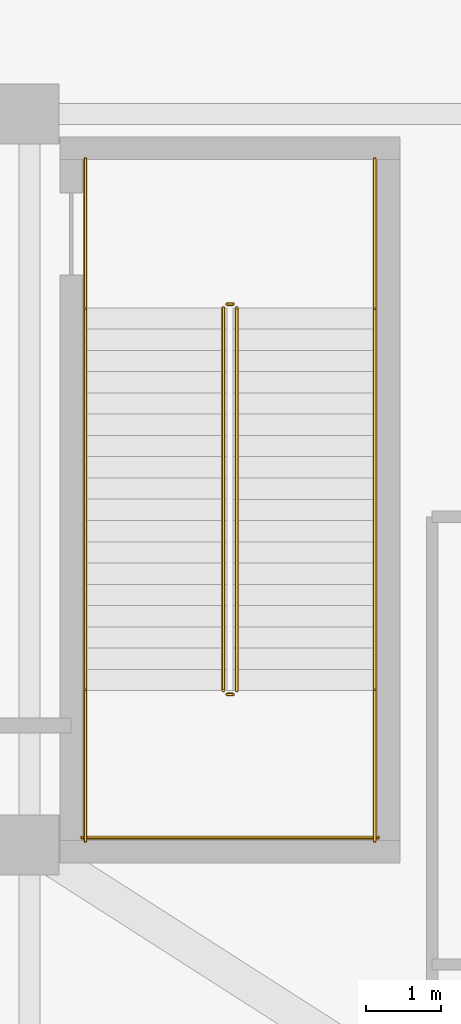
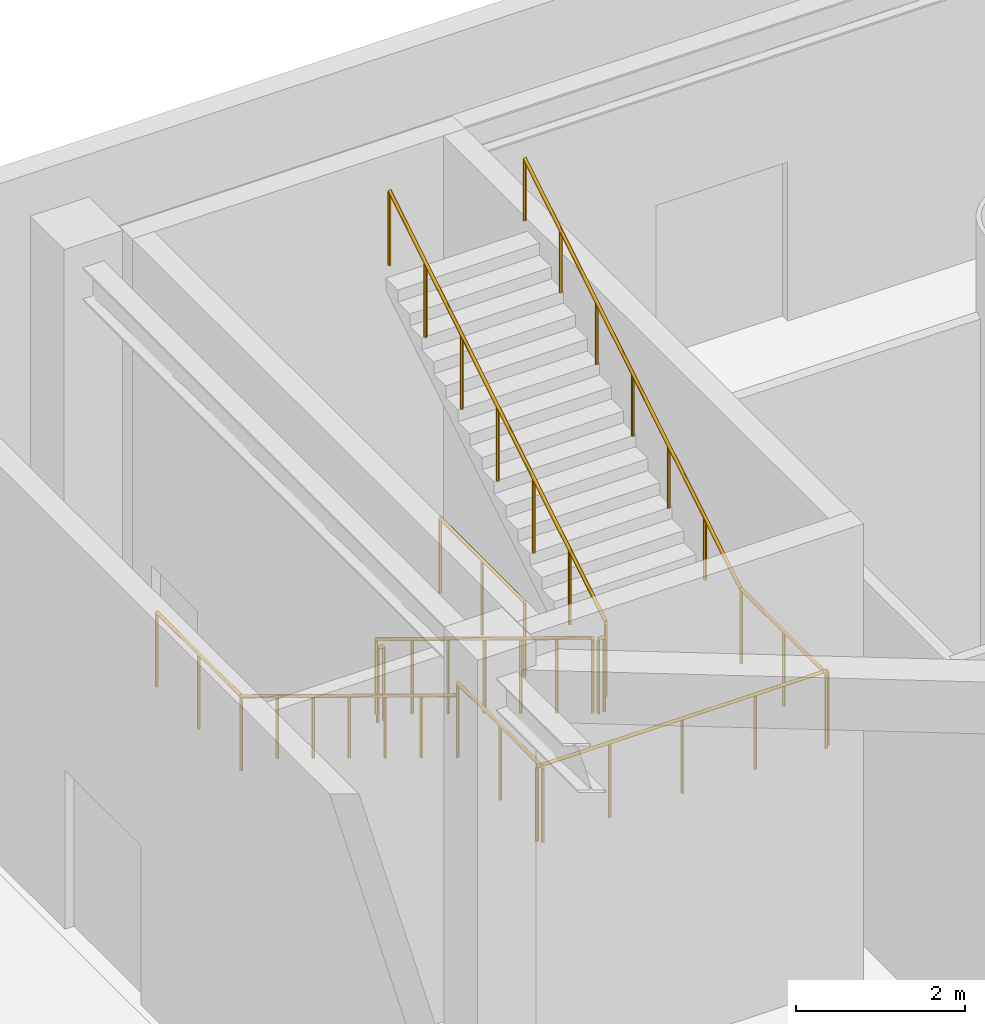
# One storey, part 12 of 15: 11 railings.
"""IFC4 building model written with IfcOpenShell, lengths in metres."""

from ifc_helpers import new_model, si_unit, direction, frame, origin, origin_2d, place, context, subcontext, project, spatial, circle, extrude, material, type_object, element, save


model = new_model("IFC4")

# Units and contexts
model_context = context("Model", 3, precision=1e-05, world=origin(), true_north=direction((0.0, 1.0)))
body_context = subcontext(model_context, "Body", "Model", "MODEL_VIEW")
ifc_project = project(units=[si_unit("LENGTHUNIT", "METRE"), si_unit("AREAUNIT", "SQUARE_METRE"), si_unit("VOLUMEUNIT", "CUBIC_METRE"), si_unit("PLANEANGLEUNIT", "RADIAN"), si_unit("MASSUNIT", "GRAM", prefix="KILO")], contexts=[model_context])

# Site, building, storey
site_placement = place(None, origin())
site = spatial("IfcSite", under=ifc_project, at=site_placement, CompositionType="ELEMENT")
building_placement = place(site_placement, origin())
building = spatial("IfcBuilding", under=site, at=building_placement, Name="Bramvorn Convention Spire", CompositionType="ELEMENT")
storey_placement = place(building_placement, origin())
storey = spatial("IfcBuildingStorey", under=building, at=storey_placement, Name="L00", CompositionType="ELEMENT", Elevation=0.0)

# Railings
ifc_material_1 = material(Name="Painted Steel Balustrade & Guardrail", Category="steel")
railing_type_1 = type_object("IfcRailingType", Name="RL-STAIR-GUARD-1100", PredefinedType="GUARDRAIL", material=ifc_material_1)
railing_1_placement = place(storey_placement, frame((5.39990234375, 46.800048828125, 0.173583984375)))
element("IfcRailing", 1, at=railing_1_placement, inside=storey, type_object=railing_type_1, Name="L00 ST6 stair guard 1", PredefinedType="GUARDRAIL", context=body_context, shape_type="SweptSolid", body=[
    extrude(circle(Radius=0.02392578125, at=origin_2d()), frame((0.0, 0.0, 1.076171875), z_axis=(0.0, -0.853919069452, 0.520405825127), x_axis=(1.0, 0.0, 0.0)), (0.0, 0.0, 1.0), 6.0078125),
    extrude(circle(Radius=0.02099609375, at=origin_2d()), origin(), (0.0, 0.0, 1.0), 1.052001953125),
    extrude(circle(Radius=0.02099609375, at=origin_2d()), frame((0.0, -0.85498046875, 0.52099609375)), (0.0, 0.0, 1.0), 1.052001953125),
    extrude(circle(Radius=0.02099609375, at=origin_2d()), frame((0.0, -1.7099609375, 1.042236328125)), (0.0, 0.0, 1.0), 1.052001953125),
    extrude(circle(Radius=0.02099609375, at=origin_2d()), frame((0.0, -2.56494140625, 1.563232421875)), (0.0, 0.0, 1.0), 1.052001953125),
    extrude(circle(Radius=0.02099609375, at=origin_2d()), frame((0.0, -3.420166015625, 2.084228515625)), (0.0, 0.0, 1.0), 1.052001953125),
    extrude(circle(Radius=0.02099609375, at=origin_2d()), frame((0.0, -4.275146484375, 2.60546875)), (0.0, 0.0, 1.0), 1.052001953125),
    extrude(circle(Radius=0.02099609375, at=origin_2d()), frame((0.0, -5.130126953125, 3.12646484375)), (0.0, 0.0, 1.0), 1.052001953125),
])
railing_2_placement = place(storey_placement, frame((5.449951171875, 41.6201171875, 3.300048828125)))
element("IfcRailing", 2, at=railing_2_placement, inside=storey, type_object=railing_type_1, Name="L00 ST6 stair guard 2", PredefinedType="GUARDRAIL", context=body_context, shape_type="SweptSolid", body=[
    extrude(circle(Radius=0.02392578125, at=origin_2d()), frame((0.0, 0.0, 1.076171875), z_axis=(1.0, 0.0, 0.0), x_axis=(0.0, 1.0, 0.0)), (0.0, 0.0, 1.0), 0.080078125),
    extrude(circle(Radius=0.02099609375, at=origin_2d()), origin(), (0.0, 0.0, 1.0), 1.052001953125),
    extrude(circle(Radius=0.02099609375, at=origin_2d()), frame((0.080078125, 0.0, 0.0)), (0.0, 0.0, 1.0), 1.052001953125),
])
for number, where, name in (
    (3, (3.550048828125, 41.669921875, 3.300048828125), "L00 ST6 stair guard 3"),
    (4, (7.429931640625, 41.669921875, 3.300048828125), "L00 ST6 stair guard 4"),
):
    element("IfcRailing", number, at=place(storey_placement, frame(where)), inside=storey, type_object=railing_type_1, Name=name, PredefinedType="GUARDRAIL", context=body_context, shape_type="SweptSolid", body=[
        extrude(circle(Radius=0.02392578125, at=origin_2d()), frame((0.0, 0.0, 1.076171875), z_axis=(0.0, -1.0, 0.0), x_axis=(1.0, 0.0, 0.0)), (0.0, 0.0, 1.0), 2.02001953125),
        extrude(circle(Radius=0.02099609375, at=origin_2d()), origin(), (0.0, 0.0, 1.0), 1.052001953125),
        extrude(circle(Radius=0.02099609375, at=origin_2d()), frame((0.0, -1.010009765625, 0.0)), (0.0, 0.0, 1.0), 1.052001953125),
        extrude(circle(Radius=0.02099609375, at=origin_2d()), frame((0.0, -2.02001953125, 0.0)), (0.0, 0.0, 1.0), 1.052001953125),
    ])
railing_3_placement = place(storey_placement, frame((3.5, 39.699951171875, 3.300048828125)))
element("IfcRailing", 5, at=railing_3_placement, inside=storey, type_object=railing_type_1, Name="L00 ST6 stair guard 5", PredefinedType="GUARDRAIL", context=body_context, shape_type="SweptSolid", body=[
    extrude(circle(Radius=0.02392578125, at=origin_2d()), frame((0.0, 0.0, 1.076171875), z_axis=(1.0, 0.0, 0.0), x_axis=(0.0, 1.0, 0.0)), (0.0, 0.0, 1.0), 3.97998046875),
    extrude(circle(Radius=0.02099609375, at=origin_2d()), origin(), (0.0, 0.0, 1.0), 1.052001953125),
    extrude(circle(Radius=0.02099609375, at=origin_2d()), frame((0.9951171875, 0.0, 0.0)), (0.0, 0.0, 1.0), 1.052001953125),
    extrude(circle(Radius=0.02099609375, at=origin_2d()), frame((1.989990234375, 0.0, 0.0)), (0.0, 0.0, 1.0), 1.052001953125),
    extrude(circle(Radius=0.02099609375, at=origin_2d()), frame((2.98486328125, 0.0, 0.0)), (0.0, 0.0, 1.0), 1.052001953125),
    extrude(circle(Radius=0.02099609375, at=origin_2d()), frame((3.97998046875, 0.0, 0.0)), (0.0, 0.0, 1.0), 1.052001953125),
])
railing_4_placement = place(storey_placement, frame((5.580078125, 41.669921875, 3.4736328125)))
element("IfcRailing", 6, at=railing_4_placement, inside=storey, type_object=railing_type_1, Name="L00 ST6 stair guard 6", PredefinedType="GUARDRAIL", context=body_context, shape_type="SweptSolid", body=[
    extrude(circle(Radius=0.02392578125, at=origin_2d()), frame((0.0, 0.0, 1.076171875), z_axis=(0.0, 0.853919069452, 0.520405825127), x_axis=(-1.0, 0.0, 0.0)), (0.0, 0.0, 1.0), 6.0078125),
    extrude(circle(Radius=0.02099609375, at=origin_2d()), origin(), (0.0, 0.0, 1.0), 1.052001953125),
    extrude(circle(Radius=0.02099609375, at=origin_2d()), frame((0.0, 0.85498046875, 0.52099609375)), (0.0, 0.0, 1.0), 1.052001953125),
    extrude(circle(Radius=0.02099609375, at=origin_2d()), frame((0.0, 1.7099609375, 1.042236328125)), (0.0, 0.0, 1.0), 1.052001953125),
    extrude(circle(Radius=0.02099609375, at=origin_2d()), frame((0.0, 2.56494140625, 1.563232421875)), (0.0, 0.0, 1.0), 1.052001953125),
    extrude(circle(Radius=0.02099609375, at=origin_2d()), frame((0.0, 3.420166015625, 2.084228515625)), (0.0, 0.0, 1.0), 1.052001953125),
    extrude(circle(Radius=0.02099609375, at=origin_2d()), frame((0.0, 4.275146484375, 2.60546875)), (0.0, 0.0, 1.0), 1.052001953125),
    extrude(circle(Radius=0.02099609375, at=origin_2d()), frame((0.0, 5.130126953125, 3.12646484375)), (0.0, 0.0, 1.0), 1.052001953125),
])
railing_5_placement = place(storey_placement, frame((5.449951171875, 46.85009765625, 0.0)))
element("IfcRailing", 7, at=railing_5_placement, inside=storey, type_object=railing_type_1, Name="L00 ST6 stair guard 7", PredefinedType="GUARDRAIL", context=body_context, shape_type="SweptSolid", body=[
    extrude(circle(Radius=0.02392578125, at=origin_2d()), frame((0.0, 0.0, 1.076171875), z_axis=(1.0, 0.0, 0.0), x_axis=(0.0, 1.0, 0.0)), (0.0, 0.0, 1.0), 0.080078125),
    extrude(circle(Radius=0.02099609375, at=origin_2d()), origin(), (0.0, 0.0, 1.0), 1.052001953125),
    extrude(circle(Radius=0.02099609375, at=origin_2d()), frame((0.080078125, 0.0, 0.0)), (0.0, 0.0, 1.0), 1.052001953125),
])
for number, where, name in (
    (8, (3.550048828125, 48.800048828125, 0.0), "L00 ST6 stair guard 8"),
    (9, (7.429931640625, 48.800048828125, 0.0), "L00 ST6 stair guard 9"),
):
    element("IfcRailing", number, at=place(storey_placement, frame(where)), inside=storey, type_object=railing_type_1, Name=name, PredefinedType="GUARDRAIL", context=body_context, shape_type="SweptSolid", body=[
        extrude(circle(Radius=0.02392578125, at=origin_2d()), frame((0.0, 0.0, 1.076171875), z_axis=(0.0, -1.0, 0.0), x_axis=(1.0, 0.0, 0.0)), (0.0, 0.0, 1.0), 2.0),
        extrude(circle(Radius=0.02099609375, at=origin_2d()), origin(), (0.0, 0.0, 1.0), 1.052001953125),
        extrude(circle(Radius=0.02099609375, at=origin_2d()), frame((0.0, -1.0, 0.0)), (0.0, 0.0, 1.0), 1.052001953125),
        extrude(circle(Radius=0.02099609375, at=origin_2d()), frame((0.0, -2.0, 0.0)), (0.0, 0.0, 1.0), 1.052001953125),
    ])
ifc_material_2 = material(Name="Brushed Bronze Tubular Handrail", Category="aluminium")
railing_type_2 = type_object("IfcRailingType", Name="RL-STAIR-HR-920", PredefinedType="HANDRAIL", material=ifc_material_2)
railing_6_placement = place(storey_placement, frame((3.550048828125, 46.800048828125, 0.173583984375)))
element("IfcRailing", 10, at=railing_6_placement, inside=storey, type_object=railing_type_2, Name="L00 ST6 stair handrail 1", PredefinedType="HANDRAIL", context=body_context, shape_type="SweptSolid", body=[
    extrude(circle(Radius=0.02392578125, at=origin_2d()), frame((0.0, 0.0, 0.89599609375), z_axis=(0.0, -0.853919069452, 0.520405825127), x_axis=(1.0, 0.0, 0.0)), (0.0, 0.0, 1.0), 6.0078125),
    extrude(circle(Radius=0.02099609375, at=origin_2d()), origin(), (0.0, 0.0, 1.0), 0.871826171875),
    extrude(circle(Radius=0.02099609375, at=origin_2d()), frame((0.0, -0.85498046875, 0.52099609375)), (0.0, 0.0, 1.0), 0.871826171875),
    extrude(circle(Radius=0.02099609375, at=origin_2d()), frame((0.0, -1.7099609375, 1.042236328125)), (0.0, 0.0, 1.0), 0.871826171875),
    extrude(circle(Radius=0.02099609375, at=origin_2d()), frame((0.0, -2.56494140625, 1.563232421875)), (0.0, 0.0, 1.0), 0.871826171875),
    extrude(circle(Radius=0.02099609375, at=origin_2d()), frame((0.0, -3.420166015625, 2.084228515625)), (0.0, 0.0, 1.0), 0.871826171875),
    extrude(circle(Radius=0.02099609375, at=origin_2d()), frame((0.0, -4.275146484375, 2.60546875)), (0.0, 0.0, 1.0), 0.871826171875),
    extrude(circle(Radius=0.02099609375, at=origin_2d()), frame((0.0, -5.130126953125, 3.12646484375)), (0.0, 0.0, 1.0), 0.871826171875),
])
railing_7_placement = place(storey_placement, frame((7.429931640625, 41.669921875, 3.4736328125)))
element("IfcRailing", 11, at=railing_7_placement, inside=storey, type_object=railing_type_2, Name="L00 ST6 stair handrail 2", PredefinedType="HANDRAIL", context=body_context, shape_type="SweptSolid", body=[
    extrude(circle(Radius=0.02392578125, at=origin_2d()), frame((0.0, 0.0, 0.89599609375), z_axis=(0.0, 0.853919069452, 0.520405825127), x_axis=(-1.0, 0.0, 0.0)), (0.0, 0.0, 1.0), 6.0078125),
    extrude(circle(Radius=0.02099609375, at=origin_2d()), origin(), (0.0, 0.0, 1.0), 0.871826171875),
    extrude(circle(Radius=0.02099609375, at=origin_2d()), frame((0.0, 0.85498046875, 0.52099609375)), (0.0, 0.0, 1.0), 0.871826171875),
    extrude(circle(Radius=0.02099609375, at=origin_2d()), frame((0.0, 1.7099609375, 1.042236328125)), (0.0, 0.0, 1.0), 0.871826171875),
    extrude(circle(Radius=0.02099609375, at=origin_2d()), frame((0.0, 2.56494140625, 1.563232421875)), (0.0, 0.0, 1.0), 0.871826171875),
    extrude(circle(Radius=0.02099609375, at=origin_2d()), frame((0.0, 3.420166015625, 2.084228515625)), (0.0, 0.0, 1.0), 0.871826171875),
    extrude(circle(Radius=0.02099609375, at=origin_2d()), frame((0.0, 4.275146484375, 2.60546875)), (0.0, 0.0, 1.0), 0.871826171875),
    extrude(circle(Radius=0.02099609375, at=origin_2d()), frame((0.0, 5.130126953125, 3.12646484375)), (0.0, 0.0, 1.0), 0.871826171875),
])

save(model, "model.ifc")
